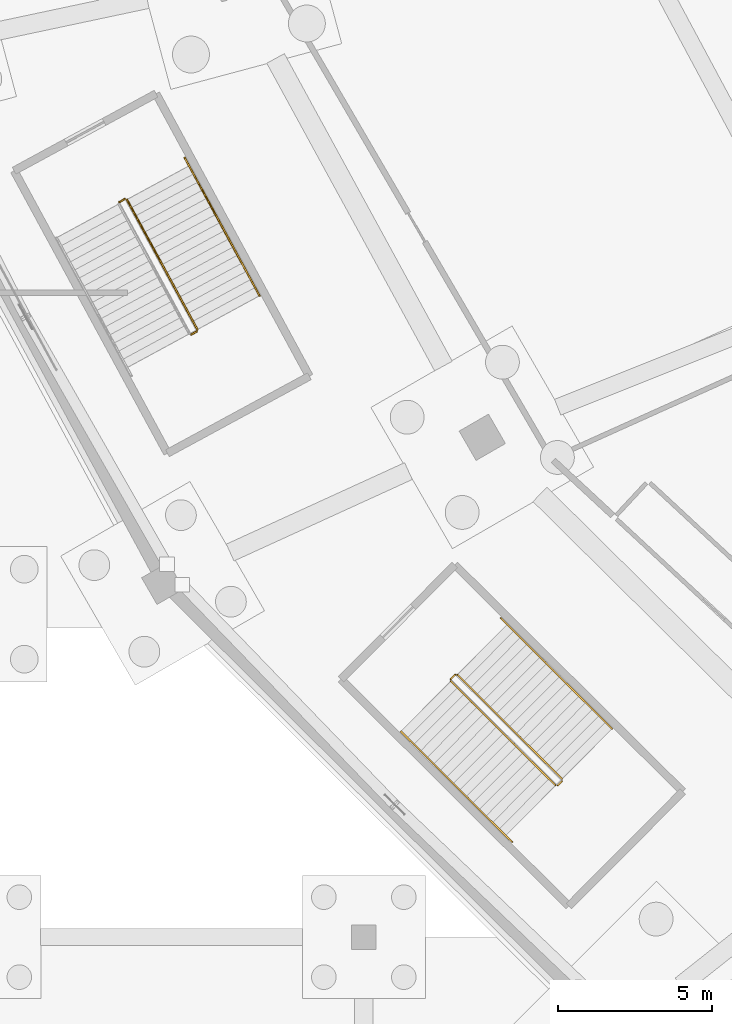
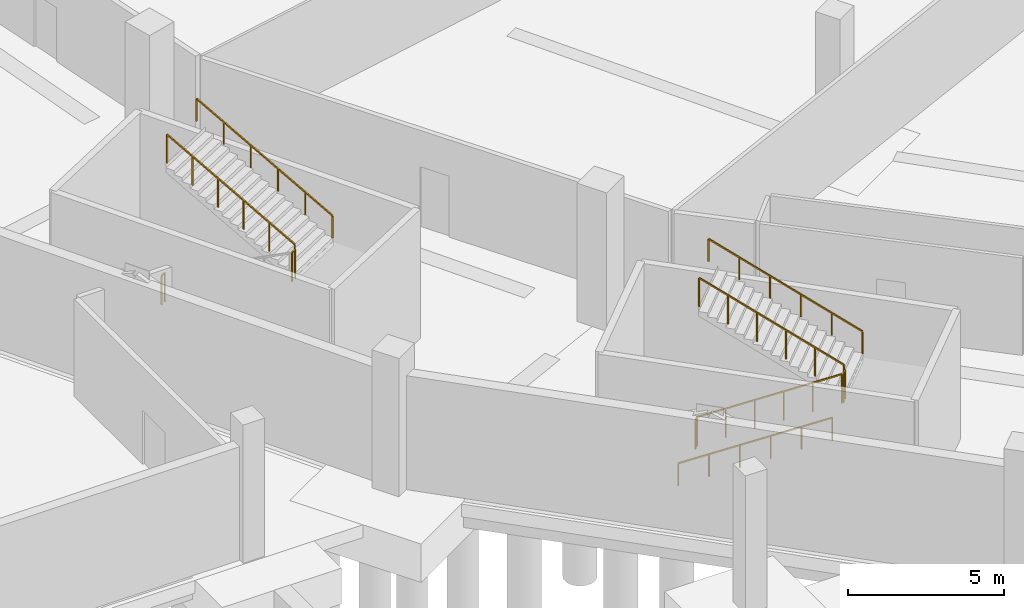
# One storey, part 54 of 74: 10 railings.
"""IFC4 building model written with IfcOpenShell, lengths in metres."""

from ifc_helpers import new_model, si_unit, direction, frame, origin, origin_2d, place, context, subcontext, project, spatial, rectangle, extrude, material, type_object, element, save


model = new_model("IFC4")

# Units and contexts
model_context = context("Model", 3, precision=1e-05, world=origin(), true_north=direction((0.0, 1.0)))
body_context = subcontext(model_context, "Body", "Model", "MODEL_VIEW")
ifc_project = project(units=[si_unit("LENGTHUNIT", "METRE"), si_unit("AREAUNIT", "SQUARE_METRE"), si_unit("VOLUMEUNIT", "CUBIC_METRE"), si_unit("PLANEANGLEUNIT", "RADIAN"), si_unit("MASSUNIT", "GRAM", prefix="KILO")], contexts=[model_context])

# Site, building, storey
site_placement = place(None, origin())
site = spatial("IfcSite", under=ifc_project, at=site_placement, CompositionType="ELEMENT")
building_placement = place(site_placement, origin())
building = spatial("IfcBuilding", under=site, at=building_placement, Name="Zlatoyarsky Gate Stadium", CompositionType="ELEMENT")
storey_placement = place(building_placement, frame((0.0, 0.0, -5.39990234375)))
storey = spatial("IfcBuildingStorey", under=building, at=storey_placement, Name="B1", CompositionType="ELEMENT", Elevation=-5.39990234375)

# Railings
ifc_material_1 = material(Name="Powder-coated steel stair guardrail", Category="steel")
railing_type_1 = type_object("IfcRailingType", Name="PAINTED STEEL STAIR WELL GUARDRAIL 1150", PredefinedType="GUARDRAIL", material=ifc_material_1)
railing_1_placement = place(storey_placement, frame((39.829345703125, 41.318603515625, 0.15869140625)))
element("IfcRailing", 1, at=railing_1_placement, inside=storey, type_object=railing_type_1, Name="ST-08 B1 stair guard 1", PredefinedType="GUARDRAIL", context=body_context, shape_type="SweptSolid", body=[
    extrude(rectangle(XDim=0.048095703125, YDim=0.048095703125, at=origin_2d()), frame((0.0, 0.0, 1.1259765625), z_axis=(0.626496914872, -0.623350270397, 0.467906033357), x_axis=(0.705324317314, 0.708884763136, 0.0)), (0.0, 0.0, 1.0), 5.43115234375),
    extrude(rectangle(XDim=0.0419921875, YDim=0.0419921875, at=origin_2d()), origin(), (0.0, 0.0, 1.0), 1.101806640625),
    extrude(rectangle(XDim=0.0419921875, YDim=0.0419921875, at=origin_2d()), frame((0.680419921875, -0.677001953125, 0.50830078125)), (0.0, 0.0, 1.0), 1.101806640625),
    extrude(rectangle(XDim=0.0419921875, YDim=0.0419921875, at=origin_2d()), frame((1.361083984375, -1.354248046875, 1.0166015625)), (0.0, 0.0, 1.0), 1.101806640625),
    extrude(rectangle(XDim=0.0419921875, YDim=0.0419921875, at=origin_2d()), frame((2.04150390625, -2.03125, 1.524658203125)), (0.0, 0.0, 1.0), 1.101806640625),
    extrude(rectangle(XDim=0.0419921875, YDim=0.0419921875, at=origin_2d()), frame((2.72216796875, -2.70849609375, 2.032958984375)), (0.0, 0.0, 1.0), 1.101806640625),
    extrude(rectangle(XDim=0.0419921875, YDim=0.0419921875, at=origin_2d()), frame((3.402587890625, -3.385498046875, 2.541259765625)), (0.0, 0.0, 1.0), 1.101806640625),
])
railing_2_placement = place(storey_placement, frame((43.302734375, 37.933349609375, 2.699951171875)))
element("IfcRailing", 2, at=railing_2_placement, inside=storey, type_object=railing_type_1, Name="ST-08 B1 stair guard 2", PredefinedType="GUARDRAIL", context=body_context, shape_type="SweptSolid", body=[
    extrude(rectangle(XDim=0.048095703125, YDim=0.048095703125, at=origin_2d()), frame((0.0, 0.0, 1.1259765625), z_axis=(0.705274116237, 0.708934708536, 0.0), x_axis=(-0.708934708536, 0.705274116237, 0.0)), (0.0, 0.0, 1.0), 0.2001953125),
    extrude(rectangle(XDim=0.0419921875, YDim=0.0419921875, at=origin_2d()), origin(), (0.0, 0.0, 1.0), 1.101806640625),
    extrude(rectangle(XDim=0.0419921875, YDim=0.0419921875, at=origin_2d()), frame((0.14111328125, 0.141845703125, 0.0)), (0.0, 0.0, 1.0), 1.101806640625),
])
railing_3_placement = place(storey_placement, frame((43.443603515625, 38.145751953125, 2.858642578125)))
element("IfcRailing", 3, at=railing_3_placement, inside=storey, type_object=railing_type_1, Name="ST-08 B1 stair guard 3", PredefinedType="GUARDRAIL", context=body_context, shape_type="SweptSolid", body=[
    extrude(rectangle(XDim=0.048095703125, YDim=0.048095703125, at=origin_2d()), frame((0.0, 0.0, 1.1259765625), z_axis=(-0.62652422217, 0.623332715513, 0.467892856117), x_axis=(-0.705298886343, -0.708910065469, 0.0)), (0.0, 0.0, 1.0), 5.431396484375),
    extrude(rectangle(XDim=0.0419921875, YDim=0.0419921875, at=origin_2d()), origin(), (0.0, 0.0, 1.0), 1.101806640625),
    extrude(rectangle(XDim=0.0419921875, YDim=0.0419921875, at=origin_2d()), frame((-0.6806640625, 0.677001953125, 0.50830078125)), (0.0, 0.0, 1.0), 1.101806640625),
    extrude(rectangle(XDim=0.0419921875, YDim=0.0419921875, at=origin_2d()), frame((-1.361083984375, 1.354248046875, 1.0166015625)), (0.0, 0.0, 1.0), 1.101806640625),
    extrude(rectangle(XDim=0.0419921875, YDim=0.0419921875, at=origin_2d()), frame((-2.041748046875, 2.03125, 1.524658203125)), (0.0, 0.0, 1.0), 1.101806640625),
    extrude(rectangle(XDim=0.0419921875, YDim=0.0419921875, at=origin_2d()), frame((-2.72216796875, 2.70849609375, 2.032958984375)), (0.0, 0.0, 1.0), 1.101806640625),
    extrude(rectangle(XDim=0.0419921875, YDim=0.0419921875, at=origin_2d()), frame((-3.40283203125, 3.385498046875, 2.541259765625)), (0.0, 0.0, 1.0), 1.101806640625),
])
railing_4_placement = place(storey_placement, frame((39.8291015625, 41.389404296875, 0.0)))
element("IfcRailing", 4, at=railing_4_placement, inside=storey, type_object=railing_type_1, Name="ST-08 B1 stair guard 4", PredefinedType="GUARDRAIL", context=body_context, shape_type="SweptSolid", body=[
    extrude(rectangle(XDim=0.048095703125, YDim=0.048095703125, at=origin_2d()), frame((0.0, 0.0, 1.1259765625), z_axis=(0.705884473151, 0.708326979978, 0.0), x_axis=(-0.708326979978, 0.705884473151, 0.0)), (0.0, 0.0, 1.0), 0.199951171875),
    extrude(rectangle(XDim=0.0419921875, YDim=0.0419921875, at=origin_2d()), origin(), (0.0, 0.0, 1.0), 1.101806640625),
    extrude(rectangle(XDim=0.0419921875, YDim=0.0419921875, at=origin_2d()), frame((0.14111328125, 0.1416015625, 0.0)), (0.0, 0.0, 1.0), 1.101806640625),
])
railing_5_placement = place(storey_placement, frame((31.39208984375, 52.59423828125, 2.699951171875)))
element("IfcRailing", 5, at=railing_5_placement, inside=storey, type_object=railing_type_1, Name="ST-15 B1 stair guard 2", PredefinedType="GUARDRAIL", context=body_context, shape_type="SweptSolid", body=[
    extrude(rectangle(XDim=0.048095703125, YDim=0.048095703125, at=origin_2d()), frame((0.0, 0.0, 1.1259765625), z_axis=(0.878780312785, 0.477226530971, 0.0), x_axis=(-0.477226530971, 0.878780312785, 0.0)), (0.0, 0.0, 1.0), 0.199951171875),
    extrude(rectangle(XDim=0.0419921875, YDim=0.0419921875, at=origin_2d()), origin(), (0.0, 0.0, 1.0), 1.101806640625),
    extrude(rectangle(XDim=0.0419921875, YDim=0.0419921875, at=origin_2d()), frame((0.17578125, 0.095458984375, 0.0)), (0.0, 0.0, 1.0), 1.101806640625),
])
railing_6_placement = place(storey_placement, frame((31.587890625, 52.757568359375, 2.858642578125)))
element("IfcRailing", 6, at=railing_6_placement, inside=storey, type_object=railing_type_1, Name="ST-15 B1 stair guard 3", PredefinedType="GUARDRAIL", context=body_context, shape_type="SweptSolid", body=[
    extrude(rectangle(XDim=0.048095703125, YDim=0.048095703125, at=origin_2d()), frame((0.0, 0.0, 1.1259765625), z_axis=(-0.421466855594, 0.776809804983, 0.467901930448), x_axis=(-0.878962478599, -0.4768909322, 0.0)), (0.0, 0.0, 1.0), 5.43115234375),
    extrude(rectangle(XDim=0.0419921875, YDim=0.0419921875, at=origin_2d()), origin(), (0.0, 0.0, 1.0), 1.101806640625),
    extrude(rectangle(XDim=0.0419921875, YDim=0.0419921875, at=origin_2d()), frame((-0.457763671875, 0.84375, 0.50830078125)), (0.0, 0.0, 1.0), 1.101806640625),
    extrude(rectangle(XDim=0.0419921875, YDim=0.0419921875, at=origin_2d()), frame((-0.91552734375, 1.6875, 1.0166015625)), (0.0, 0.0, 1.0), 1.101806640625),
    extrude(rectangle(XDim=0.0419921875, YDim=0.0419921875, at=origin_2d()), frame((-1.37353515625, 2.531494140625, 1.524658203125)), (0.0, 0.0, 1.0), 1.101806640625),
    extrude(rectangle(XDim=0.0419921875, YDim=0.0419921875, at=origin_2d()), frame((-1.831298828125, 3.375244140625, 2.032958984375)), (0.0, 0.0, 1.0), 1.101806640625),
    extrude(rectangle(XDim=0.0419921875, YDim=0.0419921875, at=origin_2d()), frame((-2.2890625, 4.218994140625, 2.541259765625)), (0.0, 0.0, 1.0), 1.101806640625),
])
railing_7_placement = place(storey_placement, frame((29.05517578125, 56.901123046875, 0.0)))
element("IfcRailing", 7, at=railing_7_placement, inside=storey, type_object=railing_type_1, Name="ST-15 B1 stair guard 4", PredefinedType="GUARDRAIL", context=body_context, shape_type="SweptSolid", body=[
    extrude(rectangle(XDim=0.048095703125, YDim=0.048095703125, at=origin_2d()), frame((0.0, 0.0, 1.1259765625), z_axis=(0.878780312785, 0.477226530971, 0.0), x_axis=(-0.477226530971, 0.878780312785, 0.0)), (0.0, 0.0, 1.0), 0.199951171875),
    extrude(rectangle(XDim=0.0419921875, YDim=0.0419921875, at=origin_2d()), origin(), (0.0, 0.0, 1.0), 1.101806640625),
    extrude(rectangle(XDim=0.0419921875, YDim=0.0419921875, at=origin_2d()), frame((0.17578125, 0.095458984375, 0.0)), (0.0, 0.0, 1.0), 1.101806640625),
])
ifc_material_2 = material(Name="Brushed stainless steel 316 handrail", Category="steel")
railing_type_2 = type_object("IfcRailingType", Name="STAINLESS STEEL TUBULAR HANDRAIL 900", PredefinedType="HANDRAIL", material=ifc_material_2)
railing_8_placement = place(storey_placement, frame((38.20703125, 39.688232421875, 0.162841796875)))
element("IfcRailing", 8, at=railing_8_placement, inside=storey, type_object=railing_type_2, Name="ST-08 B1 stair handrail 1", PredefinedType="HANDRAIL", context=body_context, shape_type="SweptSolid", body=[
    extrude(rectangle(XDim=0.048095703125, YDim=0.048095703125, at=origin_2d()), frame((0.0, 0.0, 0.8759765625), z_axis=(0.626522822418, -0.62334980522, 0.467871962531), x_axis=(0.705309395881, 0.708899609312, 0.0)), (0.0, 0.0, 1.0), 5.770751953125),
    extrude(rectangle(XDim=0.0419921875, YDim=0.0419921875, at=origin_2d()), origin(), (0.0, 0.0, 1.0), 0.851806640625),
    extrude(rectangle(XDim=0.0419921875, YDim=0.0419921875, at=origin_2d()), frame((0.72314453125, -0.719482421875, 0.5400390625)), (0.0, 0.0, 1.0), 0.851806640625),
    extrude(rectangle(XDim=0.0419921875, YDim=0.0419921875, at=origin_2d()), frame((1.4462890625, -1.43896484375, 1.080078125)), (0.0, 0.0, 1.0), 0.851806640625),
    extrude(rectangle(XDim=0.0419921875, YDim=0.0419921875, at=origin_2d()), frame((2.169189453125, -2.158203125, 1.619873046875)), (0.0, 0.0, 1.0), 0.851806640625),
    extrude(rectangle(XDim=0.0419921875, YDim=0.0419921875, at=origin_2d()), frame((2.892333984375, -2.877685546875, 2.159912109375)), (0.0, 0.0, 1.0), 0.851806640625),
    extrude(rectangle(XDim=0.0419921875, YDim=0.0419921875, at=origin_2d()), frame((3.615478515625, -3.59716796875, 2.699951171875)), (0.0, 0.0, 1.0), 0.851806640625),
])
railing_9_placement = place(storey_placement, frame((45.06591796875, 39.7763671875, 2.86279296875)))
element("IfcRailing", 9, at=railing_9_placement, inside=storey, type_object=railing_type_2, Name="ST-08 B1 stair handrail 2", PredefinedType="HANDRAIL", context=body_context, shape_type="SweptSolid", body=[
    extrude(rectangle(XDim=0.048095703125, YDim=0.048095703125, at=origin_2d()), frame((0.0, 0.0, 0.8759765625), z_axis=(-0.626539345167, 0.623323936279, 0.467884301317), x_axis=(-0.705285338382, -0.708923544159, 0.0)), (0.0, 0.0, 1.0), 5.7705078125),
    extrude(rectangle(XDim=0.0419921875, YDim=0.0419921875, at=origin_2d()), origin(), (0.0, 0.0, 1.0), 0.851806640625),
    extrude(rectangle(XDim=0.0419921875, YDim=0.0419921875, at=origin_2d()), frame((-0.72314453125, 0.719482421875, 0.5400390625)), (0.0, 0.0, 1.0), 0.851806640625),
    extrude(rectangle(XDim=0.0419921875, YDim=0.0419921875, at=origin_2d()), frame((-1.4462890625, 1.438720703125, 1.080078125)), (0.0, 0.0, 1.0), 0.851806640625),
    extrude(rectangle(XDim=0.0419921875, YDim=0.0419921875, at=origin_2d()), frame((-2.169189453125, 2.158203125, 1.619873046875)), (0.0, 0.0, 1.0), 0.851806640625),
    extrude(rectangle(XDim=0.0419921875, YDim=0.0419921875, at=origin_2d()), frame((-2.892333984375, 2.87744140625, 2.159912109375)), (0.0, 0.0, 1.0), 0.851806640625),
    extrude(rectangle(XDim=0.0419921875, YDim=0.0419921875, at=origin_2d()), frame((-3.615478515625, 3.596923828125, 2.699951171875)), (0.0, 0.0, 1.0), 0.851806640625),
])
railing_10_placement = place(storey_placement, frame((33.609619140625, 53.854248046875, 2.86279296875)))
element("IfcRailing", 10, at=railing_10_placement, inside=storey, type_object=railing_type_2, Name="ST-15 B1 stair handrail 2", PredefinedType="HANDRAIL", context=body_context, shape_type="SweptSolid", body=[
    extrude(rectangle(XDim=0.048095703125, YDim=0.048095703125, at=origin_2d()), frame((0.0, 0.0, 0.8759765625), z_axis=(-0.421458562737, 0.776834182793, 0.467868926452), x_axis=(-0.878972684615, -0.476872120909, 0.0)), (0.0, 0.0, 1.0), 5.770751953125),
    extrude(rectangle(XDim=0.0419921875, YDim=0.0419921875, at=origin_2d()), origin(), (0.0, 0.0, 1.0), 0.851806640625),
    extrude(rectangle(XDim=0.0419921875, YDim=0.0419921875, at=origin_2d()), frame((-0.486328125, 0.896484375, 0.5400390625)), (0.0, 0.0, 1.0), 0.851806640625),
    extrude(rectangle(XDim=0.0419921875, YDim=0.0419921875, at=origin_2d()), frame((-0.972900390625, 1.793212890625, 1.080078125)), (0.0, 0.0, 1.0), 0.851806640625),
    extrude(rectangle(XDim=0.0419921875, YDim=0.0419921875, at=origin_2d()), frame((-1.459228515625, 2.689697265625, 1.619873046875)), (0.0, 0.0, 1.0), 0.851806640625),
    extrude(rectangle(XDim=0.0419921875, YDim=0.0419921875, at=origin_2d()), frame((-1.94580078125, 3.58642578125, 2.159912109375)), (0.0, 0.0, 1.0), 0.851806640625),
    extrude(rectangle(XDim=0.0419921875, YDim=0.0419921875, at=origin_2d()), frame((-2.43212890625, 4.48291015625, 2.699951171875)), (0.0, 0.0, 1.0), 0.851806640625),
])

save(model, "model.ifc")
